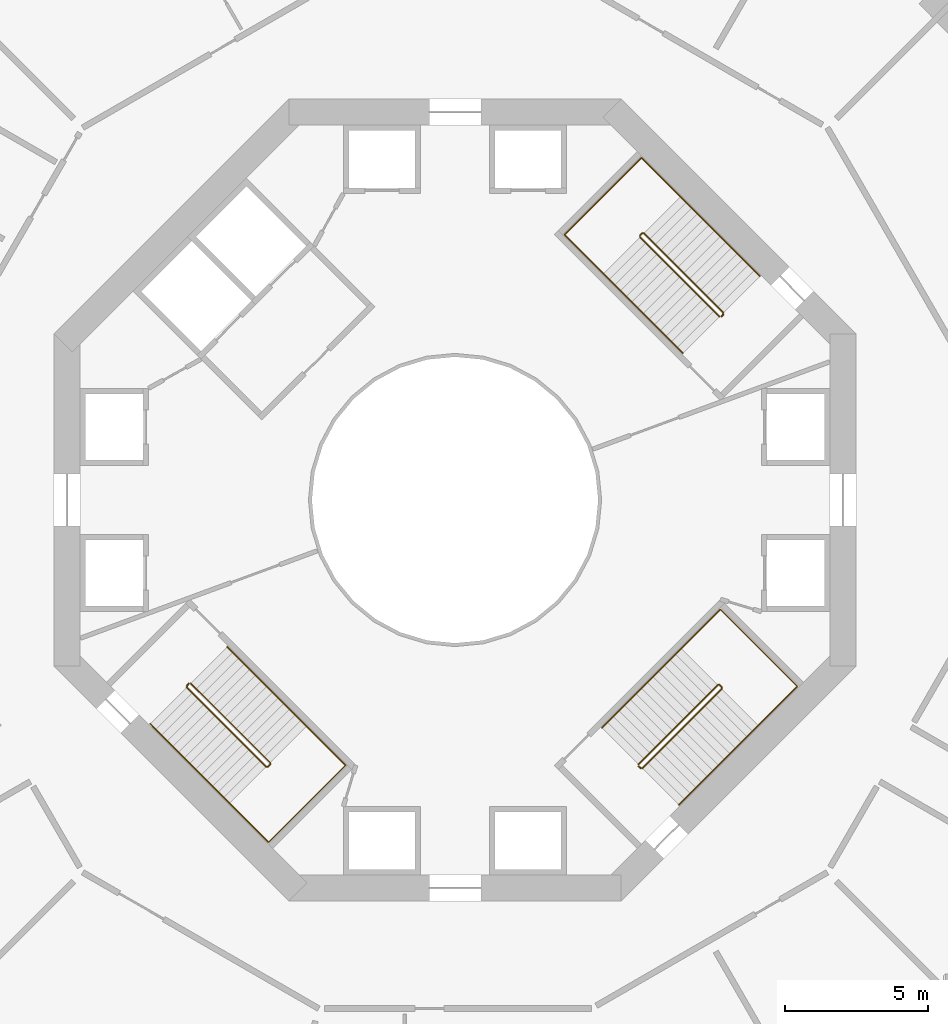
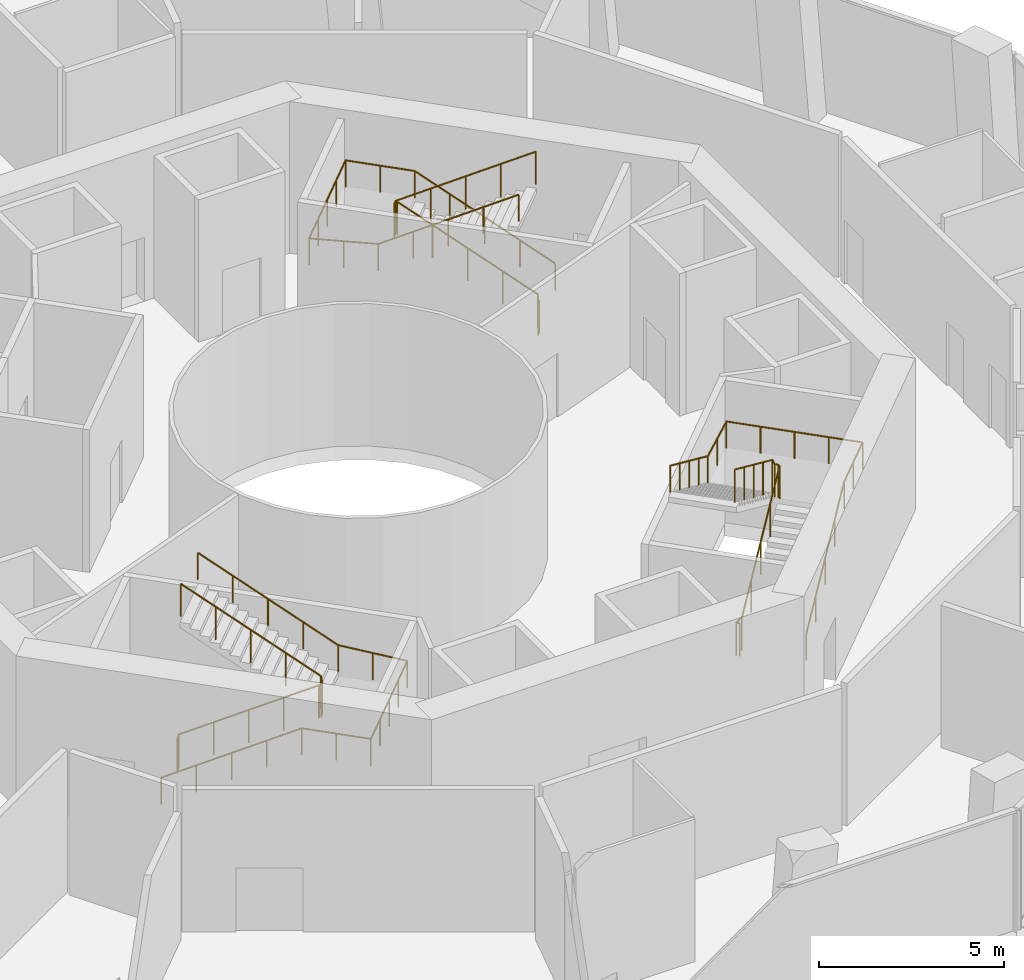
# One storey, part 16 of 16: 6 railings.
"""IFC4 building model written with IfcOpenShell, lengths in metres."""

from ifc_helpers import new_model, si_unit, direction, frame, origin, origin_2d, place, context, subcontext, project, spatial, circle, extrude, material, type_object, element, save


model = new_model("IFC4")

# Units and contexts
model_context = context("Model", 3, precision=1e-05, world=origin(), true_north=direction((0.0, 1.0)))
body_context = subcontext(model_context, "Body", "Model", "MODEL_VIEW")
ifc_project = project(units=[si_unit("LENGTHUNIT", "METRE"), si_unit("AREAUNIT", "SQUARE_METRE"), si_unit("VOLUMEUNIT", "CUBIC_METRE"), si_unit("PLANEANGLEUNIT", "RADIAN"), si_unit("MASSUNIT", "GRAM", prefix="KILO")], contexts=[model_context])

# Site, building, storey
site_placement = place(None, origin())
site = spatial("IfcSite", under=ifc_project, at=site_placement, CompositionType="ELEMENT")
building_placement = place(site_placement, origin())
building = spatial("IfcBuilding", under=site, at=building_placement, Name="Verdalira Terraces Hotel", CompositionType="ELEMENT")
storey_placement = place(building_placement, frame((0.0, 0.0, 34.0)))
storey = spatial("IfcBuildingStorey", under=building, at=storey_placement, Name="L06", CompositionType="ELEMENT", Elevation=34.0)

# Railings
ifc_material_1 = material(Name="Stainless steel", Category="steel")
railing_type_1 = type_object("IfcRailingType", Name="Stair guard 1100", PredefinedType="GUARDRAIL", material=ifc_material_1)
railing_1_placement = place(storey_placement, frame((9.369141, 6.469971, 0.0)))
element("IfcRailing", 1, at=railing_1_placement, inside=storey, type_object=railing_type_1, Name="L06 ST1 stair guard 1", PredefinedType="GUARDRAIL", context=body_context, shape_type="SweptSolid", body=[
    extrude(circle(Radius=0.023926, at=origin_2d()), frame((0.0, 0.0, 1.076172), z_axis=(-0.70832698, -0.705884473, 0.0), x_axis=(0.705884473, -0.70832698, 0.0)), (0.0, 0.0, 1.0), 0.099854),
    extrude(circle(Radius=0.023926, at=origin_2d()), frame((-0.070801, -0.070557, 1.076172), z_axis=(0.308122069, 0.615181649, 0.725680598), x_axis=(-0.894118129, 0.447831187, 0.0)), (0.0, 0.0, 1.0), 0.229736),
    extrude(circle(Radius=0.023926, at=origin_2d()), frame((0.0, 0.070801, 1.242676), z_axis=(-0.607609911, 0.607609911, 0.51148841), x_axis=(-0.707106781, -0.707106781, 0.0)), (0.0, 0.0, 1.0), 4.561768),
    extrude(circle(Radius=0.023926, at=origin_2d()), frame((-2.771729, 2.842529, 3.576172), z_axis=(-1.0, 0.0, 0.0), x_axis=(0.0, -1.0, 0.0)), (0.0, 0.0, 1.0), 0.070801),
    extrude(circle(Radius=0.023926, at=origin_2d()), frame((-2.842529, 2.842529, 3.576172), z_axis=(-0.70832698, -0.705884473, 0.0), x_axis=(0.705884473, -0.70832698, 0.0)), (0.0, 0.0, 1.0), 0.099854),
    extrude(circle(Radius=0.023926, at=origin_2d()), frame((-2.91333, 2.771973, 3.576172), z_axis=(0.0, -0.390826706, 0.920464277), x_axis=(1.0, 0.0, 0.0)), (0.0, 0.0, 1.0), 0.181152),
    extrude(circle(Radius=0.023926, at=origin_2d()), frame((-2.91333, 2.701172, 3.742676), z_axis=(0.60764367, -0.607590152, 0.511471777), x_axis=(0.70707564, 0.707137921, 0.0)), (0.0, 0.0, 1.0), 4.561768),
    extrude(circle(Radius=0.020996, at=origin_2d()), origin(), (0.0, 0.0, 1.0), 1.052002),
    extrude(circle(Radius=0.020996, at=origin_2d()), frame((-0.070801, -0.070557, 0.0)), (0.0, 0.0, 1.0), 1.052002),
    extrude(circle(Radius=0.020996, at=origin_2d()), frame((0.0, 0.070801, 0.166748)), (0.0, 0.0, 1.0), 1.052002),
    extrude(circle(Radius=0.020996, at=origin_2d()), frame((-0.692871, 0.763672, 0.75)), (0.0, 0.0, 1.0), 1.052002),
    extrude(circle(Radius=0.020996, at=origin_2d()), frame((-1.385742, 1.456543, 1.333496)), (0.0, 0.0, 1.0), 1.052002),
    extrude(circle(Radius=0.020996, at=origin_2d()), frame((-2.078857, 2.149658, 1.916748)), (0.0, 0.0, 1.0), 1.052002),
    extrude(circle(Radius=0.020996, at=origin_2d()), frame((-2.771729, 2.842529, 2.5)), (0.0, 0.0, 1.0), 1.052002),
    extrude(circle(Radius=0.020996, at=origin_2d()), frame((-2.842529, 2.842529, 2.5)), (0.0, 0.0, 1.0), 1.052002),
    extrude(circle(Radius=0.020996, at=origin_2d()), frame((-2.91333, 2.771973, 2.5)), (0.0, 0.0, 1.0), 1.052002),
    extrude(circle(Radius=0.020996, at=origin_2d()), frame((-2.91333, 2.701172, 2.666748)), (0.0, 0.0, 1.0), 1.052002),
    extrude(circle(Radius=0.020996, at=origin_2d()), frame((-2.220215, 2.008301, 3.25)), (0.0, 0.0, 1.0), 1.052002),
    extrude(circle(Radius=0.020996, at=origin_2d()), frame((-1.527344, 1.31543, 3.833496)), (0.0, 0.0, 1.0), 1.052002),
    extrude(circle(Radius=0.020996, at=origin_2d()), frame((-0.834473, 0.622314, 4.416748)), (0.0, 0.0, 1.0), 1.052002),
    extrude(circle(Radius=0.020996, at=origin_2d()), frame((-0.141357, -0.070557, 5.0)), (0.0, 0.0, 1.0), 1.052002),
])
railing_2_placement = place(storey_placement, frame((-9.369141, -6.469971, 0.0)))
element("IfcRailing", 2, at=railing_2_placement, inside=storey, type_object=railing_type_1, Name="L06 ST2 stair guard 1", PredefinedType="GUARDRAIL", context=body_context, shape_type="SweptSolid", body=[
    extrude(circle(Radius=0.023926, at=origin_2d()), frame((0.0, 0.0, 1.076172), z_axis=(0.70832698, 0.705884473, 0.0), x_axis=(-0.705884473, 0.70832698, 0.0)), (0.0, 0.0, 1.0), 0.099854),
    extrude(circle(Radius=0.023926, at=origin_2d()), frame((0.070801, 0.070557, 1.076172), z_axis=(-0.308122069, -0.615181649, 0.725680598), x_axis=(0.894118129, -0.447831187, 0.0)), (0.0, 0.0, 1.0), 0.229736),
    extrude(circle(Radius=0.023926, at=origin_2d()), frame((0.0, -0.070801, 1.242676), z_axis=(0.607609911, -0.607609911, 0.51148841), x_axis=(0.707106781, 0.707106781, 0.0)), (0.0, 0.0, 1.0), 4.561768),
    extrude(circle(Radius=0.023926, at=origin_2d()), frame((2.771729, -2.842529, 3.576172), z_axis=(1.0, 0.0, 0.0), x_axis=(0.0, 1.0, 0.0)), (0.0, 0.0, 1.0), 0.070801),
    extrude(circle(Radius=0.023926, at=origin_2d()), frame((2.842529, -2.842529, 3.576172), z_axis=(0.70832698, 0.705884473, 0.0), x_axis=(-0.705884473, 0.70832698, 0.0)), (0.0, 0.0, 1.0), 0.099854),
    extrude(circle(Radius=0.023926, at=origin_2d()), frame((2.91333, -2.771973, 3.576172), z_axis=(0.0, 0.390826706, 0.920464277), x_axis=(-1.0, 0.0, 0.0)), (0.0, 0.0, 1.0), 0.181152),
    extrude(circle(Radius=0.023926, at=origin_2d()), frame((2.91333, -2.701172, 3.742676), z_axis=(-0.60764367, 0.607590152, 0.511471777), x_axis=(-0.70707564, -0.707137921, 0.0)), (0.0, 0.0, 1.0), 4.561768),
    extrude(circle(Radius=0.020996, at=origin_2d()), origin(), (0.0, 0.0, 1.0), 1.052002),
    extrude(circle(Radius=0.020996, at=origin_2d()), frame((0.070801, 0.070557, 0.0)), (0.0, 0.0, 1.0), 1.052002),
    extrude(circle(Radius=0.020996, at=origin_2d()), frame((0.0, -0.070801, 0.166748)), (0.0, 0.0, 1.0), 1.052002),
    extrude(circle(Radius=0.020996, at=origin_2d()), frame((0.692871, -0.763672, 0.75)), (0.0, 0.0, 1.0), 1.052002),
    extrude(circle(Radius=0.020996, at=origin_2d()), frame((1.385742, -1.456543, 1.333496)), (0.0, 0.0, 1.0), 1.052002),
    extrude(circle(Radius=0.020996, at=origin_2d()), frame((2.078857, -2.149658, 1.916748)), (0.0, 0.0, 1.0), 1.052002),
    extrude(circle(Radius=0.020996, at=origin_2d()), frame((2.771729, -2.842529, 2.5)), (0.0, 0.0, 1.0), 1.052002),
    extrude(circle(Radius=0.020996, at=origin_2d()), frame((2.842529, -2.842529, 2.5)), (0.0, 0.0, 1.0), 1.052002),
    extrude(circle(Radius=0.020996, at=origin_2d()), frame((2.91333, -2.771973, 2.5)), (0.0, 0.0, 1.0), 1.052002),
    extrude(circle(Radius=0.020996, at=origin_2d()), frame((2.91333, -2.701172, 2.666748)), (0.0, 0.0, 1.0), 1.052002),
    extrude(circle(Radius=0.020996, at=origin_2d()), frame((2.220215, -2.008301, 3.25)), (0.0, 0.0, 1.0), 1.052002),
    extrude(circle(Radius=0.020996, at=origin_2d()), frame((1.527344, -1.31543, 3.833496)), (0.0, 0.0, 1.0), 1.052002),
    extrude(circle(Radius=0.020996, at=origin_2d()), frame((0.834473, -0.622314, 4.416748)), (0.0, 0.0, 1.0), 1.052002),
    extrude(circle(Radius=0.020996, at=origin_2d()), frame((0.141357, 0.070557, 5.0)), (0.0, 0.0, 1.0), 1.052002),
])
railing_3_placement = place(storey_placement, frame((6.469971, -9.369141, 0.0)))
element("IfcRailing", 3, at=railing_3_placement, inside=storey, type_object=railing_type_1, Name="L06 ST3 stair guard 1", PredefinedType="GUARDRAIL", context=body_context, shape_type="SweptSolid", body=[
    extrude(circle(Radius=0.023926, at=origin_2d()), frame((0.0, 0.0, 1.076172), z_axis=(-0.705884473, 0.70832698, 0.0), x_axis=(-0.70832698, -0.705884473, 0.0)), (0.0, 0.0, 1.0), 0.099854),
    extrude(circle(Radius=0.023926, at=origin_2d()), frame((-0.070557, 0.070801, 1.076172), z_axis=(0.615181649, -0.308122069, 0.725680598), x_axis=(0.447831187, 0.894118129, 0.0)), (0.0, 0.0, 1.0), 0.229736),
    extrude(circle(Radius=0.023926, at=origin_2d()), frame((0.070801, 0.0, 1.242676), z_axis=(0.607609911, 0.607609911, 0.51148841), x_axis=(-0.707106781, 0.707106781, 0.0)), (0.0, 0.0, 1.0), 4.561768),
    extrude(circle(Radius=0.023926, at=origin_2d()), frame((2.842529, 2.771729, 3.576172), z_axis=(0.0, 1.0, 0.0), x_axis=(-1.0, 0.0, 0.0)), (0.0, 0.0, 1.0), 0.070801),
    extrude(circle(Radius=0.023926, at=origin_2d()), frame((2.842529, 2.842529, 3.576172), z_axis=(-0.705884473, 0.70832698, 0.0), x_axis=(-0.70832698, -0.705884473, 0.0)), (0.0, 0.0, 1.0), 0.099854),
    extrude(circle(Radius=0.023926, at=origin_2d()), frame((2.771973, 2.91333, 3.576172), z_axis=(-0.390826706, 0.0, 0.920464277), x_axis=(0.0, -1.0, 0.0)), (0.0, 0.0, 1.0), 0.181152),
    extrude(circle(Radius=0.023926, at=origin_2d()), frame((2.701172, 2.91333, 3.742676), z_axis=(-0.607590152, -0.60764367, 0.511471777), x_axis=(0.707137921, -0.70707564, 0.0)), (0.0, 0.0, 1.0), 4.561768),
    extrude(circle(Radius=0.020996, at=origin_2d()), origin(), (0.0, 0.0, 1.0), 1.052002),
    extrude(circle(Radius=0.020996, at=origin_2d()), frame((-0.070557, 0.070801, 0.0)), (0.0, 0.0, 1.0), 1.052002),
    extrude(circle(Radius=0.020996, at=origin_2d()), frame((0.070801, 0.0, 0.166748)), (0.0, 0.0, 1.0), 1.052002),
    extrude(circle(Radius=0.020996, at=origin_2d()), frame((0.763672, 0.692871, 0.75)), (0.0, 0.0, 1.0), 1.052002),
    extrude(circle(Radius=0.020996, at=origin_2d()), frame((1.456543, 1.385742, 1.333496)), (0.0, 0.0, 1.0), 1.052002),
    extrude(circle(Radius=0.020996, at=origin_2d()), frame((2.149658, 2.078857, 1.916748)), (0.0, 0.0, 1.0), 1.052002),
    extrude(circle(Radius=0.020996, at=origin_2d()), frame((2.842529, 2.771729, 2.5)), (0.0, 0.0, 1.0), 1.052002),
    extrude(circle(Radius=0.020996, at=origin_2d()), frame((2.842529, 2.842529, 2.5)), (0.0, 0.0, 1.0), 1.052002),
    extrude(circle(Radius=0.020996, at=origin_2d()), frame((2.771973, 2.91333, 2.5)), (0.0, 0.0, 1.0), 1.052002),
    extrude(circle(Radius=0.020996, at=origin_2d()), frame((2.701172, 2.91333, 2.666748)), (0.0, 0.0, 1.0), 1.052002),
    extrude(circle(Radius=0.020996, at=origin_2d()), frame((2.008301, 2.220215, 3.25)), (0.0, 0.0, 1.0), 1.052002),
    extrude(circle(Radius=0.020996, at=origin_2d()), frame((1.31543, 1.527344, 3.833496)), (0.0, 0.0, 1.0), 1.052002),
    extrude(circle(Radius=0.020996, at=origin_2d()), frame((0.622314, 0.834473, 4.416748)), (0.0, 0.0, 1.0), 1.052002),
    extrude(circle(Radius=0.020996, at=origin_2d()), frame((-0.070557, 0.141357, 5.0)), (0.0, 0.0, 1.0), 1.052002),
])
ifc_material_2 = material(Name="Stainless steel", Category="steel")
railing_type_2 = type_object("IfcRailingType", Name="Stair handrail 900", PredefinedType="HANDRAIL", material=ifc_material_2)
railing_4_placement = place(storey_placement, frame((10.641846, 7.813477, 0.166748)))
element("IfcRailing", 4, at=railing_4_placement, inside=storey, type_object=railing_type_2, Name="L06 ST1 stair handrail 1", PredefinedType="HANDRAIL", context=body_context, shape_type="SweptSolid", body=[
    extrude(circle(Radius=0.023926, at=origin_2d()), frame((0.0, 0.0, 0.875977), z_axis=(-0.607590152, 0.60764367, 0.511471777), x_axis=(-0.707137921, -0.70707564, 0.0)), (0.0, 0.0, 1.0), 4.561768),
    extrude(circle(Radius=0.023926, at=origin_2d()), frame((-2.771729, 2.771973, 3.208984), z_axis=(-0.707106781, 0.707106781, 0.0), x_axis=(-0.707106781, -0.707106781, 0.0)), (0.0, 0.0, 1.0), 1.929932),
    extrude(circle(Radius=0.023926, at=origin_2d()), frame((-4.136475, 4.136719, 3.208984), z_axis=(-0.707106781, -0.707106781, 0.0), x_axis=(0.707106781, -0.707106781, 0.0)), (0.0, 0.0, 1.0), 3.800049),
    extrude(circle(Radius=0.023926, at=origin_2d()), frame((-6.823486, 1.449707, 3.208984), z_axis=(0.704482443, -0.704482443, 0.086075404), x_axis=(0.707106781, 0.707106781, 0.0)), (0.0, 0.0, 1.0), 1.937256),
    extrude(circle(Radius=0.023926, at=origin_2d()), frame((-5.45874, 0.084961, 3.375977), z_axis=(0.607590152, -0.60764367, 0.511471777), x_axis=(0.707137921, 0.70707564, 0.0)), (0.0, 0.0, 1.0), 4.561768),
    extrude(circle(Radius=0.020996, at=origin_2d()), origin(), (0.0, 0.0, 1.0), 0.851807),
    extrude(circle(Radius=0.020996, at=origin_2d()), frame((-0.692871, 0.692871, 0.583252)), (0.0, 0.0, 1.0), 0.851807),
    extrude(circle(Radius=0.020996, at=origin_2d()), frame((-1.385742, 1.385986, 1.166504)), (0.0, 0.0, 1.0), 0.851807),
    extrude(circle(Radius=0.020996, at=origin_2d()), frame((-2.078857, 2.079102, 1.75)), (0.0, 0.0, 1.0), 0.851807),
    extrude(circle(Radius=0.020996, at=origin_2d()), frame((-2.771729, 2.771973, 2.333252)), (0.0, 0.0, 1.0), 0.851807),
    extrude(circle(Radius=0.020996, at=origin_2d()), frame((-3.454102, 3.454346, 2.333252)), (0.0, 0.0, 1.0), 0.851807),
    extrude(circle(Radius=0.020996, at=origin_2d()), frame((-4.136475, 4.136719, 2.333252)), (0.0, 0.0, 1.0), 0.851807),
    extrude(circle(Radius=0.020996, at=origin_2d()), frame((-4.808105, 3.464844, 2.333252)), (0.0, 0.0, 1.0), 0.851807),
    extrude(circle(Radius=0.020996, at=origin_2d()), frame((-5.47998, 2.793213, 2.333252)), (0.0, 0.0, 1.0), 0.851807),
    extrude(circle(Radius=0.020996, at=origin_2d()), frame((-6.151855, 2.121582, 2.333252)), (0.0, 0.0, 1.0), 0.851807),
    extrude(circle(Radius=0.020996, at=origin_2d()), frame((-6.823486, 1.449707, 2.333252)), (0.0, 0.0, 1.0), 0.851807),
    extrude(circle(Radius=0.020996, at=origin_2d()), frame((-6.141113, 0.767334, 2.416504)), (0.0, 0.0, 1.0), 0.851807),
    extrude(circle(Radius=0.020996, at=origin_2d()), frame((-5.45874, 0.084961, 2.5)), (0.0, 0.0, 1.0), 0.851807),
    extrude(circle(Radius=0.020996, at=origin_2d()), frame((-4.765869, -0.60791, 3.083252)), (0.0, 0.0, 1.0), 0.851807),
    extrude(circle(Radius=0.020996, at=origin_2d()), frame((-4.072754, -1.301025, 3.666504)), (0.0, 0.0, 1.0), 0.851807),
    extrude(circle(Radius=0.020996, at=origin_2d()), frame((-3.379883, -1.994141, 4.25)), (0.0, 0.0, 1.0), 0.851807),
    extrude(circle(Radius=0.020996, at=origin_2d()), frame((-2.687012, -2.687012, 4.833252)), (0.0, 0.0, 1.0), 0.851807),
])
railing_5_placement = place(storey_placement, frame((-10.641846, -7.813477, 0.166748)))
element("IfcRailing", 5, at=railing_5_placement, inside=storey, type_object=railing_type_2, Name="L06 ST2 stair handrail 1", PredefinedType="HANDRAIL", context=body_context, shape_type="SweptSolid", body=[
    extrude(circle(Radius=0.023926, at=origin_2d()), frame((0.0, 0.0, 0.875977), z_axis=(0.607590152, -0.60764367, 0.511471777), x_axis=(0.707137921, 0.70707564, 0.0)), (0.0, 0.0, 1.0), 4.561768),
    extrude(circle(Radius=0.023926, at=origin_2d()), frame((2.771729, -2.771973, 3.208984), z_axis=(0.707106781, -0.707106781, 0.0), x_axis=(0.707106781, 0.707106781, 0.0)), (0.0, 0.0, 1.0), 1.929932),
    extrude(circle(Radius=0.023926, at=origin_2d()), frame((4.136475, -4.136719, 3.208984), z_axis=(0.707106781, 0.707106781, 0.0), x_axis=(-0.707106781, 0.707106781, 0.0)), (0.0, 0.0, 1.0), 3.800049),
    extrude(circle(Radius=0.023926, at=origin_2d()), frame((6.823486, -1.449707, 3.208984), z_axis=(-0.704482443, 0.704482443, 0.086075404), x_axis=(-0.707106781, -0.707106781, 0.0)), (0.0, 0.0, 1.0), 1.937256),
    extrude(circle(Radius=0.023926, at=origin_2d()), frame((5.45874, -0.084961, 3.375977), z_axis=(-0.607590152, 0.60764367, 0.511471777), x_axis=(-0.707137921, -0.70707564, 0.0)), (0.0, 0.0, 1.0), 4.561768),
    extrude(circle(Radius=0.020996, at=origin_2d()), origin(), (0.0, 0.0, 1.0), 0.851807),
    extrude(circle(Radius=0.020996, at=origin_2d()), frame((0.692871, -0.692871, 0.583252)), (0.0, 0.0, 1.0), 0.851807),
    extrude(circle(Radius=0.020996, at=origin_2d()), frame((1.385742, -1.385986, 1.166504)), (0.0, 0.0, 1.0), 0.851807),
    extrude(circle(Radius=0.020996, at=origin_2d()), frame((2.078857, -2.079102, 1.75)), (0.0, 0.0, 1.0), 0.851807),
    extrude(circle(Radius=0.020996, at=origin_2d()), frame((2.771729, -2.771973, 2.333252)), (0.0, 0.0, 1.0), 0.851807),
    extrude(circle(Radius=0.020996, at=origin_2d()), frame((3.454102, -3.454346, 2.333252)), (0.0, 0.0, 1.0), 0.851807),
    extrude(circle(Radius=0.020996, at=origin_2d()), frame((4.136475, -4.136719, 2.333252)), (0.0, 0.0, 1.0), 0.851807),
    extrude(circle(Radius=0.020996, at=origin_2d()), frame((4.808105, -3.464844, 2.333252)), (0.0, 0.0, 1.0), 0.851807),
    extrude(circle(Radius=0.020996, at=origin_2d()), frame((5.47998, -2.793213, 2.333252)), (0.0, 0.0, 1.0), 0.851807),
    extrude(circle(Radius=0.020996, at=origin_2d()), frame((6.151855, -2.121582, 2.333252)), (0.0, 0.0, 1.0), 0.851807),
    extrude(circle(Radius=0.020996, at=origin_2d()), frame((6.823486, -1.449707, 2.333252)), (0.0, 0.0, 1.0), 0.851807),
    extrude(circle(Radius=0.020996, at=origin_2d()), frame((6.141113, -0.767334, 2.416504)), (0.0, 0.0, 1.0), 0.851807),
    extrude(circle(Radius=0.020996, at=origin_2d()), frame((5.45874, -0.084961, 2.5)), (0.0, 0.0, 1.0), 0.851807),
    extrude(circle(Radius=0.020996, at=origin_2d()), frame((4.765869, 0.60791, 3.083252)), (0.0, 0.0, 1.0), 0.851807),
    extrude(circle(Radius=0.020996, at=origin_2d()), frame((4.072754, 1.301025, 3.666504)), (0.0, 0.0, 1.0), 0.851807),
    extrude(circle(Radius=0.020996, at=origin_2d()), frame((3.379883, 1.994141, 4.25)), (0.0, 0.0, 1.0), 0.851807),
    extrude(circle(Radius=0.020996, at=origin_2d()), frame((2.687012, 2.687012, 4.833252)), (0.0, 0.0, 1.0), 0.851807),
])
railing_6_placement = place(storey_placement, frame((7.813477, -10.641846, 0.166748)))
element("IfcRailing", 6, at=railing_6_placement, inside=storey, type_object=railing_type_2, Name="L06 ST3 stair handrail 1", PredefinedType="HANDRAIL", context=body_context, shape_type="SweptSolid", body=[
    extrude(circle(Radius=0.023926, at=origin_2d()), frame((0.0, 0.0, 0.875977), z_axis=(0.60764367, 0.607590152, 0.511471777), x_axis=(-0.70707564, 0.707137921, 0.0)), (0.0, 0.0, 1.0), 4.561768),
    extrude(circle(Radius=0.023926, at=origin_2d()), frame((2.771973, 2.771729, 3.208984), z_axis=(0.707106781, 0.707106781, 0.0), x_axis=(-0.707106781, 0.707106781, 0.0)), (0.0, 0.0, 1.0), 1.929932),
    extrude(circle(Radius=0.023926, at=origin_2d()), frame((4.136719, 4.136475, 3.208984), z_axis=(-0.707106781, 0.707106781, 0.0), x_axis=(-0.707106781, -0.707106781, 0.0)), (0.0, 0.0, 1.0), 3.800049),
    extrude(circle(Radius=0.023926, at=origin_2d()), frame((1.449707, 6.823486, 3.208984), z_axis=(-0.704482443, -0.704482443, 0.086075404), x_axis=(0.707106781, -0.707106781, 0.0)), (0.0, 0.0, 1.0), 1.937256),
    extrude(circle(Radius=0.023926, at=origin_2d()), frame((0.084961, 5.45874, 3.375977), z_axis=(-0.60764367, -0.607590152, 0.511471777), x_axis=(0.70707564, -0.707137921, 0.0)), (0.0, 0.0, 1.0), 4.561768),
    extrude(circle(Radius=0.020996, at=origin_2d()), origin(), (0.0, 0.0, 1.0), 0.851807),
    extrude(circle(Radius=0.020996, at=origin_2d()), frame((0.692871, 0.692871, 0.583252)), (0.0, 0.0, 1.0), 0.851807),
    extrude(circle(Radius=0.020996, at=origin_2d()), frame((1.385986, 1.385742, 1.166504)), (0.0, 0.0, 1.0), 0.851807),
    extrude(circle(Radius=0.020996, at=origin_2d()), frame((2.079102, 2.078857, 1.75)), (0.0, 0.0, 1.0), 0.851807),
    extrude(circle(Radius=0.020996, at=origin_2d()), frame((2.771973, 2.771729, 2.333252)), (0.0, 0.0, 1.0), 0.851807),
    extrude(circle(Radius=0.020996, at=origin_2d()), frame((3.454346, 3.454102, 2.333252)), (0.0, 0.0, 1.0), 0.851807),
    extrude(circle(Radius=0.020996, at=origin_2d()), frame((4.136719, 4.136475, 2.333252)), (0.0, 0.0, 1.0), 0.851807),
    extrude(circle(Radius=0.020996, at=origin_2d()), frame((3.464844, 4.808105, 2.333252)), (0.0, 0.0, 1.0), 0.851807),
    extrude(circle(Radius=0.020996, at=origin_2d()), frame((2.793213, 5.47998, 2.333252)), (0.0, 0.0, 1.0), 0.851807),
    extrude(circle(Radius=0.020996, at=origin_2d()), frame((2.121582, 6.151855, 2.333252)), (0.0, 0.0, 1.0), 0.851807),
    extrude(circle(Radius=0.020996, at=origin_2d()), frame((1.449707, 6.823486, 2.333252)), (0.0, 0.0, 1.0), 0.851807),
    extrude(circle(Radius=0.020996, at=origin_2d()), frame((0.767334, 6.141113, 2.416504)), (0.0, 0.0, 1.0), 0.851807),
    extrude(circle(Radius=0.020996, at=origin_2d()), frame((0.084961, 5.45874, 2.5)), (0.0, 0.0, 1.0), 0.851807),
    extrude(circle(Radius=0.020996, at=origin_2d()), frame((-0.60791, 4.765869, 3.083252)), (0.0, 0.0, 1.0), 0.851807),
    extrude(circle(Radius=0.020996, at=origin_2d()), frame((-1.301025, 4.072754, 3.666504)), (0.0, 0.0, 1.0), 0.851807),
    extrude(circle(Radius=0.020996, at=origin_2d()), frame((-1.994141, 3.379883, 4.25)), (0.0, 0.0, 1.0), 0.851807),
    extrude(circle(Radius=0.020996, at=origin_2d()), frame((-2.687012, 2.687012, 4.833252)), (0.0, 0.0, 1.0), 0.851807),
])

save(model, "model.ifc")
